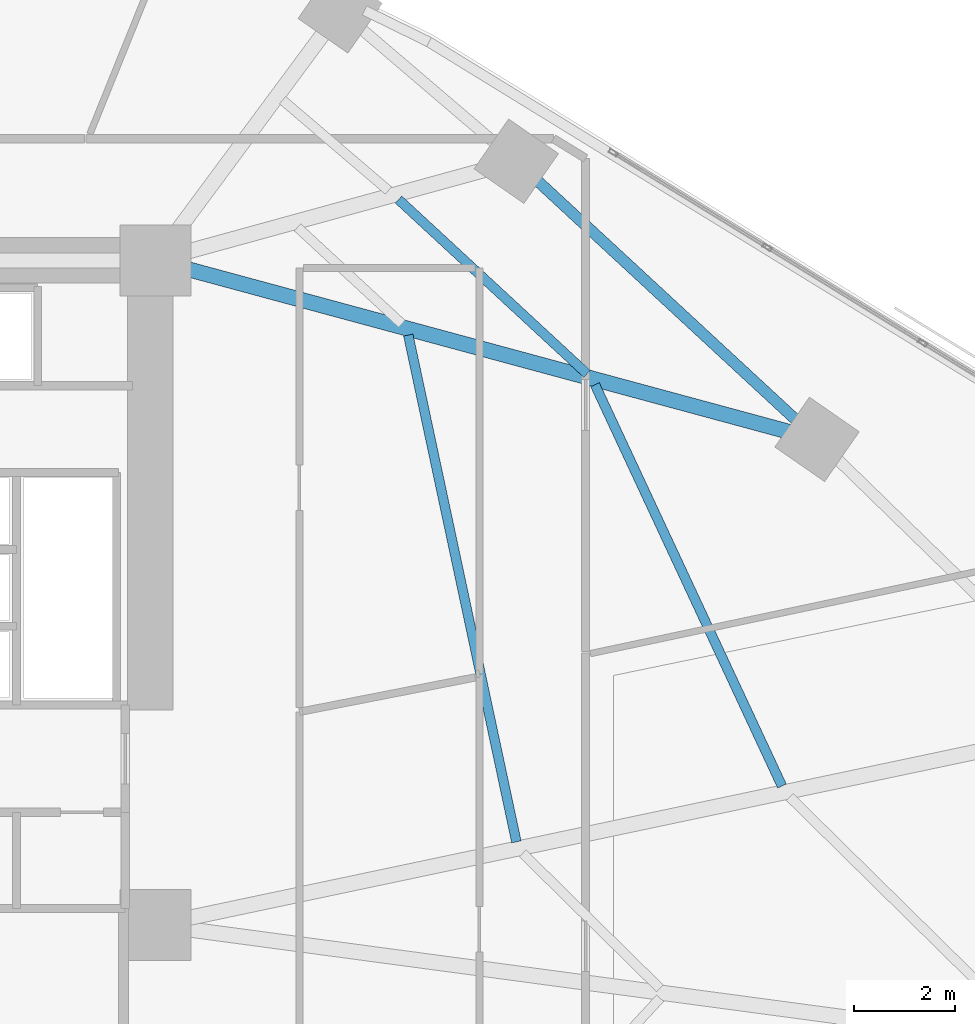
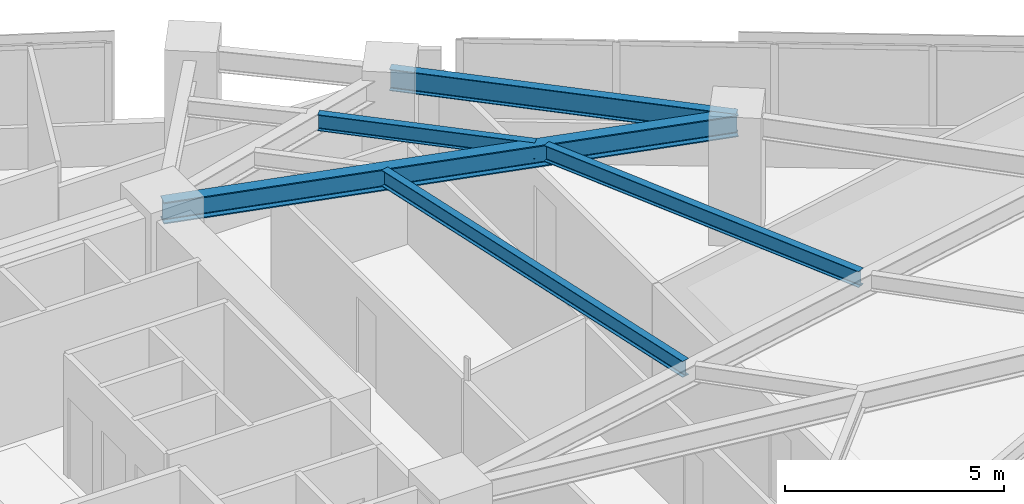
# One storey, part 5 of 18: 5 beams.
"""IFC4 building model written with IfcOpenShell, lengths in metres."""

from ifc_helpers import new_model, si_unit, direction, frame, origin, origin_2d, place, context, subcontext, project, spatial, i_section, extrude, material, material_profile, profile_set, type_object, element, save


model = new_model("IFC4")

# Units and contexts
model_context = context("Model", 3, precision=1e-05, world=origin(), true_north=direction((0.0, 1.0)))
body_context = subcontext(model_context, "Body", "Model", "MODEL_VIEW")
ifc_project = project(units=[si_unit("LENGTHUNIT", "METRE"), si_unit("AREAUNIT", "SQUARE_METRE"), si_unit("VOLUMEUNIT", "CUBIC_METRE"), si_unit("PLANEANGLEUNIT", "RADIAN"), si_unit("MASSUNIT", "GRAM", prefix="KILO")], contexts=[model_context])

# Site, building, storey
site_placement = place(None, origin())
site = spatial("IfcSite", under=ifc_project, at=site_placement, CompositionType="ELEMENT")
building_placement = place(site_placement, origin())
building = spatial("IfcBuilding", under=site, at=building_placement, Name="Narakoshi Arena Tower", CompositionType="ELEMENT")
storey_placement = place(building_placement, frame((0.0, 0.0, 110.10009765625)))
storey = spatial("IfcBuildingStorey", under=building, at=storey_placement, Name="L29", CompositionType="ELEMENT", Elevation=110.10009765625)

# Beams
ifc_material = material(Name="Structural steel S355J2", Category="steel")
ifc_material_profile_1 = material_profile(ifc_material, i_section(OverallWidth=0.219970703125, OverallDepth=0.60009765625, WebThickness=0.011962890625, FlangeThickness=0.01904296875, FilletRadius=0.02392578125, at=origin_2d()), Name="IPE600")
ifc_profile_set_1 = profile_set([ifc_material_profile_1], Name="Structural steel S355J2")
beam_type_1 = type_object("IfcBeamType", Name="BM-EDGE-600", PredefinedType="BEAM", material=ifc_profile_set_1)
beam_1_placement = place(storey_placement, frame((98.641357421875, 52.95849609375, 3.039794921875), z_axis=(-0.734140347065, 0.678997754643, 0.0), x_axis=(-0.678997754643, -0.734140347065, 0.0)))
element("IfcBeam", 1, at=beam_1_placement, inside=storey, type_object=beam_type_1, Name="L29 Perimeter Edge Girder 06", PredefinedType="BEAM", context=body_context, shape_type="SweptSolid", body=[
    extrude(i_section(OverallWidth=0.219970703125, OverallDepth=0.60009765625, WebThickness=0.011962890625, FlangeThickness=0.01904296875, FilletRadius=0.02392578125, at=origin_2d()), origin(), (0.0, 0.0, 1.0), 8.106689453125),
])
ifc_material_profile_2 = material_profile(ifc_material, i_section(OverallWidth=0.300048828125, OverallDepth=0.60009765625, WebThickness=0.015380859375, FlangeThickness=0.030029296875, FilletRadius=0.027099609375, at=origin_2d()), Name="HE600B")
ifc_profile_set_2 = profile_set([ifc_material_profile_2], Name="Structural steel S355J2")
beam_type_2 = type_object("IfcBeamType", Name="BM-PRI-600", PredefinedType="BEAM", material=ifc_profile_set_2)
beam_2_placement = place(storey_placement, frame((85.550048828125, 56.5, 3.039794921875), z_axis=(0.965301848216, -0.261136634408, 0.0), x_axis=(0.261136634408, 0.965301848216, 0.0)))
element("IfcBeam", 2, at=beam_2_placement, inside=storey, type_object=beam_type_2, Name="L29 Radial Primary Floor Girder 06", PredefinedType="BEAM", context=body_context, shape_type="SweptSolid", body=[
    extrude(i_section(OverallWidth=0.300048828125, OverallDepth=0.60009765625, WebThickness=0.015380859375, FlangeThickness=0.030029296875, FilletRadius=0.027099609375, at=origin_2d()), origin(), (0.0, 0.0, 1.0), 13.561767578125),
])
ifc_material_profile_3 = material_profile(ifc_material, i_section(OverallWidth=0.18994140625, OverallDepth=0.449951171875, WebThickness=0.009521484375, FlangeThickness=0.0146484375, FilletRadius=0.02099609375, at=origin_2d()), Name="IPE450")
ifc_profile_set_3 = profile_set([ifc_material_profile_3], Name="Structural steel S355J2")
beam_type_3 = type_object("IfcBeamType", Name="BM-SEC-450", PredefinedType="JOIST", material=ifc_profile_set_3)
beam_3_placement = place(storey_placement, frame((92.692626953125, 44.99462890625, 3.114990234375), z_axis=(-0.208678554526, 0.977984284578, 0.0), x_axis=(-0.977984284578, -0.208678554526, 0.0)))
element("IfcBeam", 3, at=beam_3_placement, inside=storey, type_object=beam_type_3, Name="L29 Composite Secondary Floor Joist 05", PredefinedType="JOIST", context=body_context, shape_type="SweptSolid", body=[
    extrude(i_section(OverallWidth=0.18994140625, OverallDepth=0.449951171875, WebThickness=0.009521484375, FlangeThickness=0.0146484375, FilletRadius=0.02099609375, at=origin_2d()), origin(), (0.0, 0.0, 1.0), 10.25341796875),
])
beam_4_placement = place(storey_placement, frame((97.947509765625, 46.099609375, 3.114990234375), z_axis=(-0.422374306876, 0.906421505091, 0.0), x_axis=(-0.906421505091, -0.422374306876, 0.0)))
element("IfcBeam", 4, at=beam_4_placement, inside=storey, type_object=beam_type_3, Name="L29 Composite Secondary Floor Joist 06", PredefinedType="JOIST", context=body_context, shape_type="SweptSolid", body=[
    extrude(i_section(OverallWidth=0.18994140625, OverallDepth=0.449951171875, WebThickness=0.009521484375, FlangeThickness=0.0146484375, FilletRadius=0.02099609375, at=origin_2d()), origin(), (0.0, 0.0, 1.0), 8.760498046875),
])
beam_5_placement = place(storey_placement, frame((94.09130859375, 54.25439453125, 3.114990234375), z_axis=(-0.734174891282, 0.678960403124, 0.0), x_axis=(-0.678960403124, -0.734174891282, 0.0)))
element("IfcBeam", 5, at=beam_5_placement, inside=storey, type_object=beam_type_3, Name="L29 Composite Secondary Floor Joist 08", PredefinedType="JOIST", context=body_context, shape_type="SweptSolid", body=[
    extrude(i_section(OverallWidth=0.18994140625, OverallDepth=0.449951171875, WebThickness=0.009521484375, FlangeThickness=0.0146484375, FilletRadius=0.02099609375, at=origin_2d()), origin(), (0.0, 0.0, 1.0), 5.08056640625),
])

save(model, "model.ifc")
